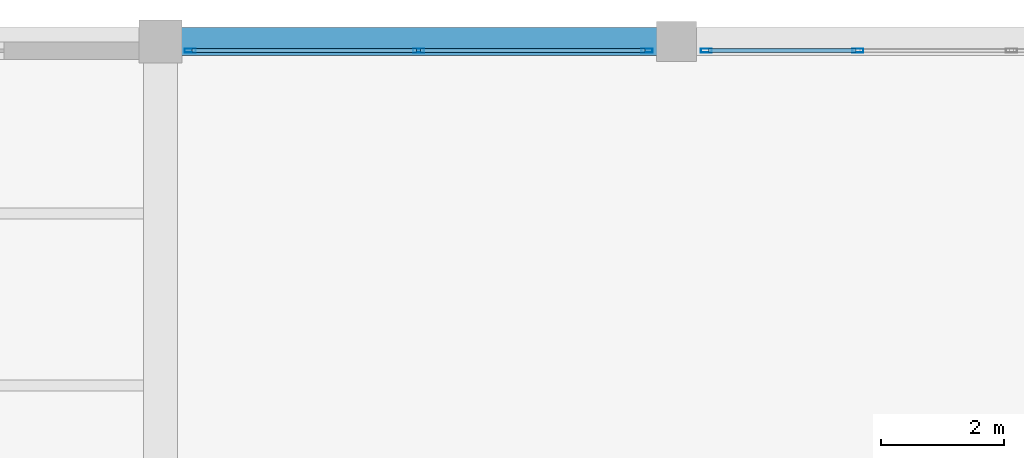
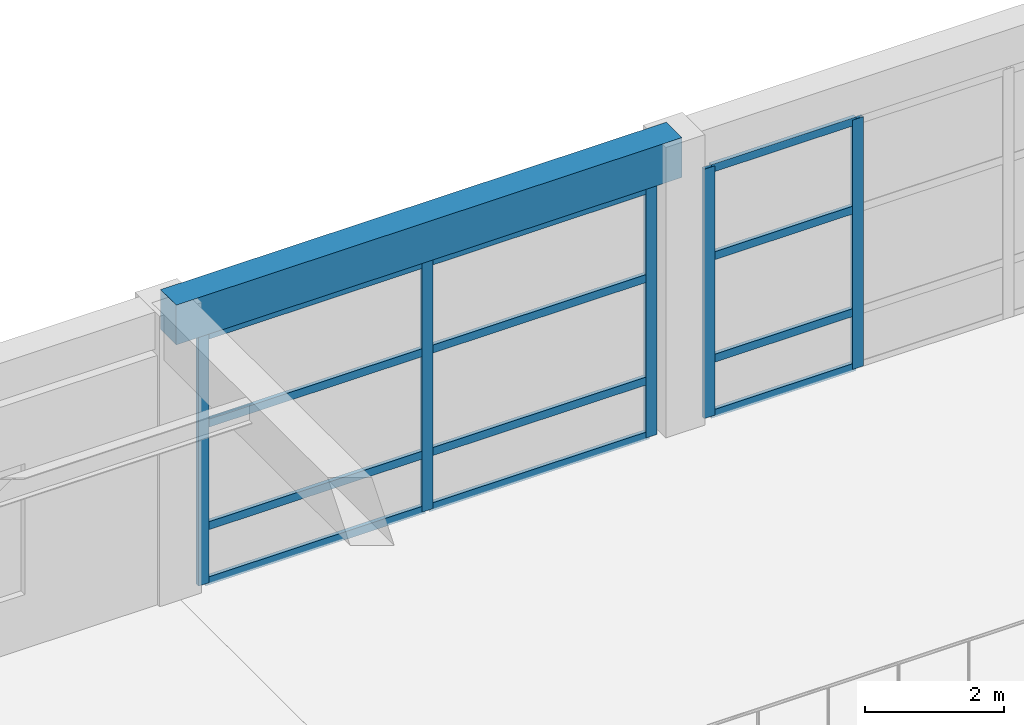
# One storey, part 26 of 65: 17 members, 1 beam, 2 elements without a shape of their own.
"""IFC4 building model written with IfcOpenShell, lengths in metres."""

from ifc_helpers import new_model, si_unit, direction, frame, origin, origin_2d, place, context, subcontext, project, spatial, rectangle, hollow_rectangle, extrude, material, material_profile, profile_set, type_object, element, aggregate, save


model = new_model("IFC4")

# Units and contexts
model_context = context("Model", 3, precision=1e-05, world=origin(), true_north=direction((0.0, 1.0)))
body_context = subcontext(model_context, "Body", "Model", "MODEL_VIEW")
ifc_project = project(units=[si_unit("LENGTHUNIT", "METRE"), si_unit("AREAUNIT", "SQUARE_METRE"), si_unit("VOLUMEUNIT", "CUBIC_METRE"), si_unit("PLANEANGLEUNIT", "RADIAN"), si_unit("MASSUNIT", "GRAM", prefix="KILO")], contexts=[model_context])

# Site, building, storey
site_placement = place(None, origin())
site = spatial("IfcSite", under=ifc_project, at=site_placement, CompositionType="ELEMENT")
building_placement = place(site_placement, origin())
building = spatial("IfcBuilding", under=site, at=building_placement, Name="Almacenes y Pasaje Nevantli", CompositionType="ELEMENT")
storey_placement = place(building_placement, frame((0.0, 0.0, 16.800048828125)))
storey = spatial("IfcBuildingStorey", under=building, at=storey_placement, Name="L04", CompositionType="ELEMENT", Elevation=16.800048828125)

# Beam
ifc_material_1 = material(Name="Concrete C35/45", Category="concrete")
ifc_material_profile_1 = material_profile(ifc_material_1, rectangle(XDim=0.449951171875, YDim=0.699951171875, at=origin_2d()), Name="RC-BM-450x700")
ifc_profile_set_1 = profile_set([ifc_material_profile_1], Name="Concrete C35/45")
beam_type = type_object("IfcBeamType", Name="BM-RC-450x700", PredefinedType="SPANDREL", material=ifc_profile_set_1)
beam_placement = place(storey_placement, frame((67.199951171875, 117.60009765625, 4.75), z_axis=(1.0, 0.0, 0.0), x_axis=(0.0, 1.0, 0.0)))
element("IfcBeam", 1, at=beam_placement, inside=storey, type_object=beam_type, Name="L04 East-West Reinforced Concrete Beam #2981", PredefinedType="SPANDREL", context=body_context, shape_type="SweptSolid", body=[
    extrude(rectangle(XDim=0.449951171875, YDim=0.699951171875, at=origin_2d()), origin(), (0.0, 0.0, 1.0), 8.400146484375),
])

# Curtain wall, members
ifc_material_2 = material(Name="Thermally Broken Aluminium and Low-E Glass", Category="aluminium")
curtain_wall_type = type_object("IfcCurtainWallType", Name="CW-STF-ARCADE", PredefinedType="USERDEFINED", material=ifc_material_2)
curtain_wall_1_placement = place(storey_placement, origin())
curtain_wall_1 = element("IfcCurtainWall", 2, at=curtain_wall_1_placement, inside=storey, type_object=curtain_wall_type, Name="L04 North Arcade Monumental Portal Curtain Wall Bay 9", ObjectType="STOREFRONT GLAZING", PredefinedType="USERDEFINED")
ifc_material_3 = material(Name="Thermally Broken Anodized Aluminium", Category="aluminium")
ifc_material_profile_2 = material_profile(ifc_material_3, hollow_rectangle(XDim=0.06494140625, YDim=0.179931640625, WallThickness=0.00390625, at=origin_2d()), Name="ALU-MUL-65x180")
ifc_profile_set_2 = profile_set([ifc_material_profile_2], Name="Thermally Broken Anodized Aluminium")
member_type_1 = type_object("IfcMemberType", Name="CW-MUL-200", PredefinedType="MULLION", material=ifc_profile_set_2)
member_1_placement = place(storey_placement, frame((67.6826171875, 117.449951171875, 0.0), z_axis=(0.0, 0.0, 1.0), x_axis=(0.0, 1.0, 0.0)))
member_1 = element("IfcMember", 3, at=member_1_placement, type_object=member_type_1, Name="CW-L04-067 mullion 1", PredefinedType="MULLION", context=body_context, shape_type="SweptSolid", body=[
    extrude(hollow_rectangle(XDim=0.06494140625, YDim=0.179931640625, WallThickness=0.00390625, at=origin_2d()), origin(), (0.0, 0.0, 1.0), 4.3798828125),
])
member_2_placement = place(storey_placement, frame((71.39990234375, 117.449951171875, 0.0), z_axis=(0.0, 0.0, 1.0), x_axis=(0.0, 1.0, 0.0)))
member_2 = element("IfcMember", 4, at=member_2_placement, type_object=member_type_1, Name="CW-L04-067 mullion 2", PredefinedType="MULLION", context=body_context, shape_type="SweptSolid", body=[
    extrude(hollow_rectangle(XDim=0.06494140625, YDim=0.179931640625, WallThickness=0.00390625, at=origin_2d()), origin(), (0.0, 0.0, 1.0), 4.3798828125),
])
member_3_placement = place(storey_placement, frame((75.117431640625, 117.449951171875, 0.0), z_axis=(0.0, 0.0, 1.0), x_axis=(0.0, 1.0, 0.0)))
member_3 = element("IfcMember", 5, at=member_3_placement, type_object=member_type_1, Name="CW-L04-067 mullion 3", PredefinedType="MULLION", context=body_context, shape_type="SweptSolid", body=[
    extrude(hollow_rectangle(XDim=0.06494140625, YDim=0.179931640625, WallThickness=0.00390625, at=origin_2d()), origin(), (0.0, 0.0, 1.0), 4.3798828125),
])

curtain_wall_2_placement = place(storey_placement, origin())
curtain_wall_2 = element("IfcCurtainWall", 6, at=curtain_wall_2_placement, inside=storey, type_object=curtain_wall_type, Name="L04 North Arcade Monumental Portal Curtain Wall Bay 10", ObjectType="STOREFRONT GLAZING", PredefinedType="USERDEFINED")
member_4_placement = place(storey_placement, frame((76.08251953125, 117.449951171875, 0.0), z_axis=(0.0, 0.0, 1.0), x_axis=(0.0, 1.0, 0.0)))
member_4 = element("IfcMember", 7, at=member_4_placement, type_object=member_type_1, Name="CW-L04-068 mullion 1", PredefinedType="MULLION", context=body_context, shape_type="SweptSolid", body=[
    extrude(hollow_rectangle(XDim=0.06494140625, YDim=0.179931640625, WallThickness=0.00390625, at=origin_2d()), origin(), (0.0, 0.0, 1.0), 4.3798828125),
])
member_5_placement = place(storey_placement, frame((78.550048828125, 117.449951171875, 0.0), z_axis=(0.0, 0.0, 1.0), x_axis=(0.0, 1.0, 0.0)))
member_5 = element("IfcMember", 8, at=member_5_placement, type_object=member_type_1, Name="CW-L04-068 mullion 2", PredefinedType="MULLION", context=body_context, shape_type="SweptSolid", body=[
    extrude(hollow_rectangle(XDim=0.06494140625, YDim=0.179931640625, WallThickness=0.00390625, at=origin_2d()), origin(), (0.0, 0.0, 1.0), 4.3798828125),
])

# Member
ifc_material_4 = material(Name="Thermally Broken Anodized Aluminium", Category="aluminium")
ifc_material_profile_3 = material_profile(ifc_material_4, hollow_rectangle(XDim=0.06494140625, YDim=0.139892578125, WallThickness=0.00390625, at=origin_2d()), Name="ALU-TRN-65x140")
ifc_profile_set_3 = profile_set([ifc_material_profile_3], Name="Thermally Broken Anodized Aluminium")
member_type_2 = type_object("IfcMemberType", Name="CW-TRN-150", PredefinedType="USERDEFINED", material=ifc_profile_set_3)
member_6_placement = place(storey_placement, frame((67.715087890625, 117.449951171875, 0.032470703125), z_axis=(1.0, 0.0, 0.0), x_axis=(0.0, 1.0, 0.0)))
member_6 = element("IfcMember", 9, at=member_6_placement, type_object=member_type_2, Name="CW-L04-067 transom 1.1", ObjectType="TRANSOM", PredefinedType="USERDEFINED", context=body_context, shape_type="SweptSolid", body=[
    extrude(hollow_rectangle(XDim=0.06494140625, YDim=0.139892578125, WallThickness=0.00390625, at=origin_2d()), origin(), (0.0, 0.0, 1.0), 3.65234375),
])

member_7_placement = place(storey_placement, frame((67.715087890625, 117.449951171875, 1.0), z_axis=(1.0, 0.0, 0.0), x_axis=(0.0, 1.0, 0.0)))
member_7 = element("IfcMember", 10, at=member_7_placement, type_object=member_type_2, Name="CW-L04-067 transom 1.2", ObjectType="TRANSOM", PredefinedType="USERDEFINED", context=body_context, shape_type="SweptSolid", body=[
    extrude(hollow_rectangle(XDim=0.06494140625, YDim=0.139892578125, WallThickness=0.00390625, at=origin_2d()), origin(), (0.0, 0.0, 1.0), 3.65234375),
])

member_8_placement = place(storey_placement, frame((67.715087890625, 117.449951171875, 2.800048828125), z_axis=(1.0, 0.0, 0.0), x_axis=(0.0, 1.0, 0.0)))
member_8 = element("IfcMember", 11, at=member_8_placement, type_object=member_type_2, Name="CW-L04-067 transom 1.3", ObjectType="TRANSOM", PredefinedType="USERDEFINED", context=body_context, shape_type="SweptSolid", body=[
    extrude(hollow_rectangle(XDim=0.06494140625, YDim=0.139892578125, WallThickness=0.00390625, at=origin_2d()), origin(), (0.0, 0.0, 1.0), 3.65234375),
])

member_9_placement = place(storey_placement, frame((67.715087890625, 117.449951171875, 4.347412109375), z_axis=(1.0, 0.0, 0.0), x_axis=(0.0, 1.0, 0.0)))
member_9 = element("IfcMember", 12, at=member_9_placement, type_object=member_type_2, Name="CW-L04-067 transom 1.4", ObjectType="TRANSOM", PredefinedType="USERDEFINED", context=body_context, shape_type="SweptSolid", body=[
    extrude(hollow_rectangle(XDim=0.06494140625, YDim=0.139892578125, WallThickness=0.00390625, at=origin_2d()), origin(), (0.0, 0.0, 1.0), 3.65234375),
])

member_10_placement = place(storey_placement, frame((71.4326171875, 117.449951171875, 0.032470703125), z_axis=(1.0, 0.0, 0.0), x_axis=(0.0, 1.0, 0.0)))
member_10 = element("IfcMember", 13, at=member_10_placement, type_object=member_type_2, Name="CW-L04-067 transom 2.1", ObjectType="TRANSOM", PredefinedType="USERDEFINED", context=body_context, shape_type="SweptSolid", body=[
    extrude(hollow_rectangle(XDim=0.06494140625, YDim=0.139892578125, WallThickness=0.00390625, at=origin_2d()), origin(), (0.0, 0.0, 1.0), 3.65234375),
])

member_11_placement = place(storey_placement, frame((71.4326171875, 117.449951171875, 1.0), z_axis=(1.0, 0.0, 0.0), x_axis=(0.0, 1.0, 0.0)))
member_11 = element("IfcMember", 14, at=member_11_placement, type_object=member_type_2, Name="CW-L04-067 transom 2.2", ObjectType="TRANSOM", PredefinedType="USERDEFINED", context=body_context, shape_type="SweptSolid", body=[
    extrude(hollow_rectangle(XDim=0.06494140625, YDim=0.139892578125, WallThickness=0.00390625, at=origin_2d()), origin(), (0.0, 0.0, 1.0), 3.65234375),
])

member_12_placement = place(storey_placement, frame((71.4326171875, 117.449951171875, 2.800048828125), z_axis=(1.0, 0.0, 0.0), x_axis=(0.0, 1.0, 0.0)))
member_12 = element("IfcMember", 15, at=member_12_placement, type_object=member_type_2, Name="CW-L04-067 transom 2.3", ObjectType="TRANSOM", PredefinedType="USERDEFINED", context=body_context, shape_type="SweptSolid", body=[
    extrude(hollow_rectangle(XDim=0.06494140625, YDim=0.139892578125, WallThickness=0.00390625, at=origin_2d()), origin(), (0.0, 0.0, 1.0), 3.65234375),
])

member_13_placement = place(storey_placement, frame((71.4326171875, 117.449951171875, 4.347412109375), z_axis=(1.0, 0.0, 0.0), x_axis=(0.0, 1.0, 0.0)))
member_13 = element("IfcMember", 16, at=member_13_placement, type_object=member_type_2, Name="CW-L04-067 transom 2.4", ObjectType="TRANSOM", PredefinedType="USERDEFINED", context=body_context, shape_type="SweptSolid", body=[
    extrude(hollow_rectangle(XDim=0.06494140625, YDim=0.139892578125, WallThickness=0.00390625, at=origin_2d()), origin(), (0.0, 0.0, 1.0), 3.65234375),
])

aggregate(curtain_wall_1, [member_1, member_2, member_3, member_6, member_7, member_8, member_9, member_10, member_11, member_12, member_13])

member_14_placement = place(storey_placement, frame((76.114990234375, 117.449951171875, 0.032470703125), z_axis=(1.0, 0.0, 0.0), x_axis=(0.0, 1.0, 0.0)))
member_14 = element("IfcMember", 17, at=member_14_placement, type_object=member_type_2, Name="CW-L04-068 transom 1.1", ObjectType="TRANSOM", PredefinedType="USERDEFINED", context=body_context, shape_type="SweptSolid", body=[
    extrude(hollow_rectangle(XDim=0.06494140625, YDim=0.139892578125, WallThickness=0.00390625, at=origin_2d()), origin(), (0.0, 0.0, 1.0), 2.402587890625),
])

member_15_placement = place(storey_placement, frame((76.114990234375, 117.449951171875, 1.0), z_axis=(1.0, 0.0, 0.0), x_axis=(0.0, 1.0, 0.0)))
member_15 = element("IfcMember", 18, at=member_15_placement, type_object=member_type_2, Name="CW-L04-068 transom 1.2", ObjectType="TRANSOM", PredefinedType="USERDEFINED", context=body_context, shape_type="SweptSolid", body=[
    extrude(hollow_rectangle(XDim=0.06494140625, YDim=0.139892578125, WallThickness=0.00390625, at=origin_2d()), origin(), (0.0, 0.0, 1.0), 2.402587890625),
])

member_16_placement = place(storey_placement, frame((76.114990234375, 117.449951171875, 2.800048828125), z_axis=(1.0, 0.0, 0.0), x_axis=(0.0, 1.0, 0.0)))
member_16 = element("IfcMember", 19, at=member_16_placement, type_object=member_type_2, Name="CW-L04-068 transom 1.3", ObjectType="TRANSOM", PredefinedType="USERDEFINED", context=body_context, shape_type="SweptSolid", body=[
    extrude(hollow_rectangle(XDim=0.06494140625, YDim=0.139892578125, WallThickness=0.00390625, at=origin_2d()), origin(), (0.0, 0.0, 1.0), 2.402587890625),
])

member_17_placement = place(storey_placement, frame((76.114990234375, 117.449951171875, 4.347412109375), z_axis=(1.0, 0.0, 0.0), x_axis=(0.0, 1.0, 0.0)))
member_17 = element("IfcMember", 20, at=member_17_placement, type_object=member_type_2, Name="CW-L04-068 transom 1.4", ObjectType="TRANSOM", PredefinedType="USERDEFINED", context=body_context, shape_type="SweptSolid", body=[
    extrude(hollow_rectangle(XDim=0.06494140625, YDim=0.139892578125, WallThickness=0.00390625, at=origin_2d()), origin(), (0.0, 0.0, 1.0), 2.402587890625),
])

aggregate(curtain_wall_2, [member_4, member_5, member_14, member_15, member_16, member_17])

save(model, "model.ifc")
